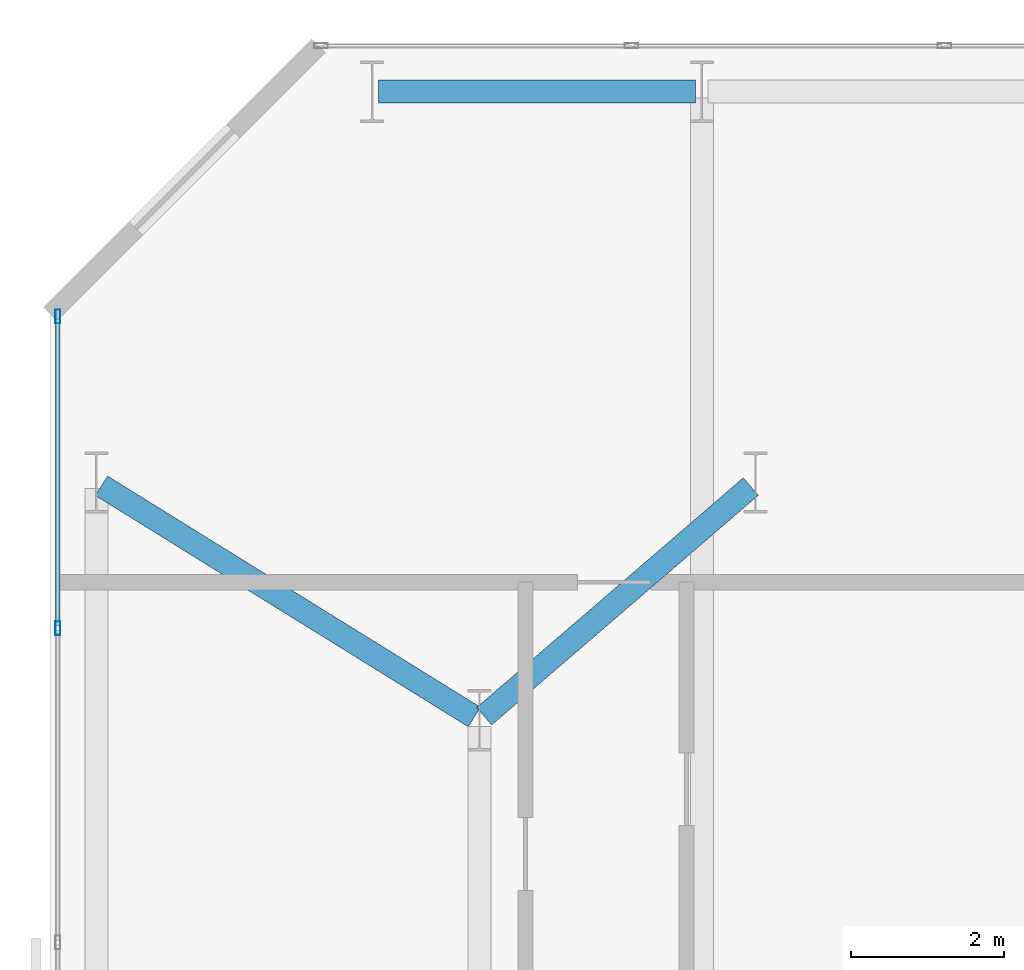
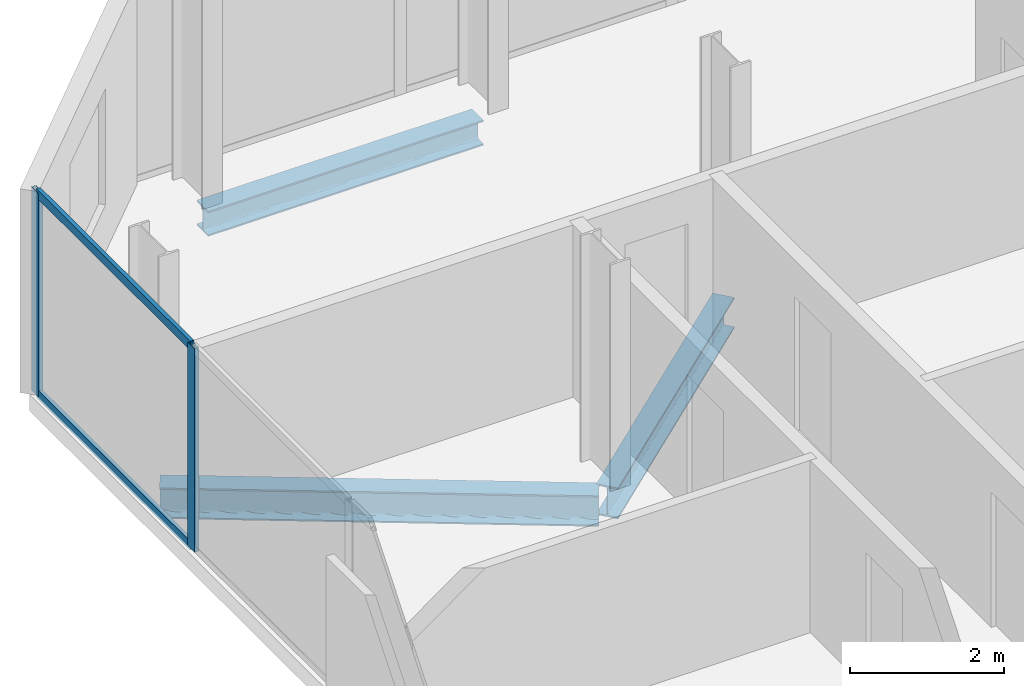
# One storey, part 20 of 33: 4 members, 3 beams, 1 element without a shape of its own.
"""IFC4 building model written with IfcOpenShell, lengths in metres."""

from ifc_helpers import new_model, si_unit, direction, frame, origin, origin_2d, place, context, subcontext, project, spatial, hollow_rectangle, i_section, extrude, material, layer, layer_set, material_profile, profile_set, type_object, element, aggregate, save


model = new_model("IFC4")

# Units and contexts
model_context = context("Model", 3, precision=1e-05, world=origin(), true_north=direction((0.0, 1.0)))
body_context = subcontext(model_context, "Body", "Model", "MODEL_VIEW")
ifc_project = project(units=[si_unit("LENGTHUNIT", "METRE"), si_unit("AREAUNIT", "SQUARE_METRE"), si_unit("VOLUMEUNIT", "CUBIC_METRE"), si_unit("PLANEANGLEUNIT", "RADIAN"), si_unit("MASSUNIT", "GRAM", prefix="KILO")], contexts=[model_context])

# Site, building, storey
site_placement = place(None, origin())
site = spatial("IfcSite", under=ifc_project, at=site_placement, CompositionType="ELEMENT")
building_placement = place(site_placement, origin())
building = spatial("IfcBuilding", under=site, at=building_placement, Name="Catumbela Crestline Tower", CompositionType="ELEMENT")
storey_placement = place(building_placement, frame((0.0, 0.0, 76.2)))
storey = spatial("IfcBuildingStorey", under=building, at=storey_placement, Name="L19", CompositionType="ELEMENT", Elevation=76.2)

# Beams
ifc_material_1 = material(Name="Structural steel S355J2", Category="steel")
ifc_material_profile_1 = material_profile(ifc_material_1, i_section(OverallWidth=0.3, OverallDepth=0.49, WebThickness=0.012, FlangeThickness=0.023, FilletRadius=0.027, at=origin_2d()), Name="HEA 500")
ifc_profile_set_1 = profile_set([ifc_material_profile_1], Name="Structural steel S355J2")
beam_type_1 = type_object("IfcBeamType", Name="BG-HEA500", PredefinedType="BEAM", material=ifc_profile_set_1)
beam_1_placement = place(storey_placement, frame((0.668, 42.2578, -0.505), z_axis=(0.849908952007, -0.526929571479, 0.0), x_axis=(0.526929571479, 0.849908952007, 0.0)))
element("IfcBeam", 1, at=beam_1_placement, inside=storey, type_object=beam_type_1, Name="L19 Beam BM-L19-N13", PredefinedType="BEAM", context=body_context, shape_type="SweptSolid", body=[
    extrude(i_section(OverallWidth=0.3, OverallDepth=0.49, WebThickness=0.012, FlangeThickness=0.023, FilletRadius=0.027, at=origin_2d()), origin(), (0.0, 0.0, 1.0), 5.723),
])
beam_2_placement = place(storey_placement, frame((5.6606, 39.2522, -0.505), z_axis=(0.757772392559, 0.652518966066, 0.0), x_axis=(-0.652518966066, 0.757772392559, 0.0)))
element("IfcBeam", 2, at=beam_2_placement, inside=storey, type_object=beam_type_1, Name="L19 Beam BM-L19-N14", PredefinedType="BEAM", context=body_context, shape_type="SweptSolid", body=[
    extrude(i_section(OverallWidth=0.3, OverallDepth=0.49, WebThickness=0.012, FlangeThickness=0.023, FilletRadius=0.027, at=origin_2d()), origin(), (0.0, 0.0, 1.0), 4.5908),
])

# Curtain wall, members
ifc_material_2 = material(Name="Aluminium alloy AW-6060-T66", Category="aluminium")
ifc_layer = layer(ifc_material_2, 0.18, Name="Aluminium alloy AW-6060-T66")
ifc_layer_set = layer_set([ifc_layer], Name="Aluminium alloy AW-6060-T66")
curtain_wall_type = type_object("IfcCurtainWallType", Name="CWU-Z1", PredefinedType="USERDEFINED", material=ifc_layer_set)
curtain_wall_placement = place(storey_placement, origin())
curtain_wall = element("IfcCurtainWall", 3, at=curtain_wall_placement, inside=storey, type_object=curtain_wall_type, Name="L19 Unitised Curtain Wall CW-L19-E9S1", ObjectType="UNITISED", PredefinedType="USERDEFINED")
ifc_material_profile_2 = material_profile(ifc_material_2, hollow_rectangle(XDim=0.065, YDim=0.18, WallThickness=0.004, at=origin_2d()), Name="ALU 180x65x4")
ifc_profile_set_2 = profile_set([ifc_material_profile_2], Name="Aluminium alloy AW-6060-T66")
member_type_1 = type_object("IfcMemberType", Name="MUL-180X65", PredefinedType="MULLION", material=ifc_profile_set_2)
member_1_placement = place(storey_placement, frame((0.1, 44.4675, 0.0), z_axis=(0.0, 0.0, 1.0), x_axis=(1.0, 0.0, 0.0)))
member_1 = element("IfcMember", 4, at=member_1_placement, type_object=member_type_1, Name="CWU-Z1 mullion 1", PredefinedType="MULLION", context=body_context, shape_type="SweptSolid", body=[
    extrude(hollow_rectangle(XDim=0.065, YDim=0.18, WallThickness=0.004, at=origin_2d()), origin(), (0.0, 0.0, 1.0), 3.24),
])
member_2_placement = place(storey_placement, frame((0.1, 40.4, 0.0), z_axis=(0.0, 0.0, 1.0), x_axis=(1.0, 0.0, 0.0)))
member_2 = element("IfcMember", 5, at=member_2_placement, type_object=member_type_1, Name="CWU-Z1 mullion 2", PredefinedType="MULLION", context=body_context, shape_type="SweptSolid", body=[
    extrude(hollow_rectangle(XDim=0.065, YDim=0.18, WallThickness=0.004, at=origin_2d()), origin(), (0.0, 0.0, 1.0), 3.24),
])

# Beam
ifc_material_profile_3 = material_profile(ifc_material_1, i_section(OverallWidth=0.3, OverallDepth=0.4, WebThickness=0.0135, FlangeThickness=0.024, FilletRadius=0.027, at=origin_2d()), Name="HEB 400")
ifc_profile_set_3 = profile_set([ifc_material_profile_3], Name="Structural steel S355J2")
beam_type_2 = type_object("IfcBeamType", Name="BS-HEB400", PredefinedType="SPANDREL", material=ifc_profile_set_3)
beam_3_placement = place(storey_placement, frame((4.28, 47.4, -0.46), z_axis=(1.0, 0.0, 0.0), x_axis=(0.0, 1.0, 0.0)))
element("IfcBeam", 6, at=beam_3_placement, inside=storey, type_object=beam_type_2, Name="L19 Spandrel SP-L19-NF19", PredefinedType="SPANDREL", context=body_context, shape_type="SweptSolid", body=[
    extrude(i_section(OverallWidth=0.3, OverallDepth=0.4, WebThickness=0.0135, FlangeThickness=0.024, FilletRadius=0.027, at=origin_2d()), origin(), (0.0, 0.0, 1.0), 4.14),
])

# Member
ifc_material_profile_4 = material_profile(ifc_material_2, hollow_rectangle(XDim=0.06, YDim=0.14, WallThickness=0.004, at=origin_2d()), Name="ALU 140x60x4")
ifc_profile_set_4 = profile_set([ifc_material_profile_4], Name="Aluminium alloy AW-6060-T66")
member_type_2 = type_object("IfcMemberType", Name="TRN-140X60", PredefinedType="USERDEFINED", material=ifc_profile_set_4)
member_3_placement = place(storey_placement, frame((0.1, 44.435, 0.03), z_axis=(0.0, -1.0, 0.0), x_axis=(1.0, 0.0, 0.0)))
member_3 = element("IfcMember", 7, at=member_3_placement, type_object=member_type_2, Name="CWU-Z1 transom 1.1", ObjectType="TRANSOM", PredefinedType="USERDEFINED", context=body_context, shape_type="SweptSolid", body=[
    extrude(hollow_rectangle(XDim=0.06, YDim=0.14, WallThickness=0.004, at=origin_2d()), origin(), (0.0, 0.0, 1.0), 4.0025),
])

member_4_placement = place(storey_placement, frame((0.1, 44.435, 3.21), z_axis=(0.0, -1.0, 0.0), x_axis=(1.0, 0.0, 0.0)))
member_4 = element("IfcMember", 8, at=member_4_placement, type_object=member_type_2, Name="CWU-Z1 transom 1.2", ObjectType="TRANSOM", PredefinedType="USERDEFINED", context=body_context, shape_type="SweptSolid", body=[
    extrude(hollow_rectangle(XDim=0.06, YDim=0.14, WallThickness=0.004, at=origin_2d()), origin(), (0.0, 0.0, 1.0), 4.0025),
])

aggregate(curtain_wall, [member_1, member_2, member_3, member_4])

save(model, "model.ifc")
